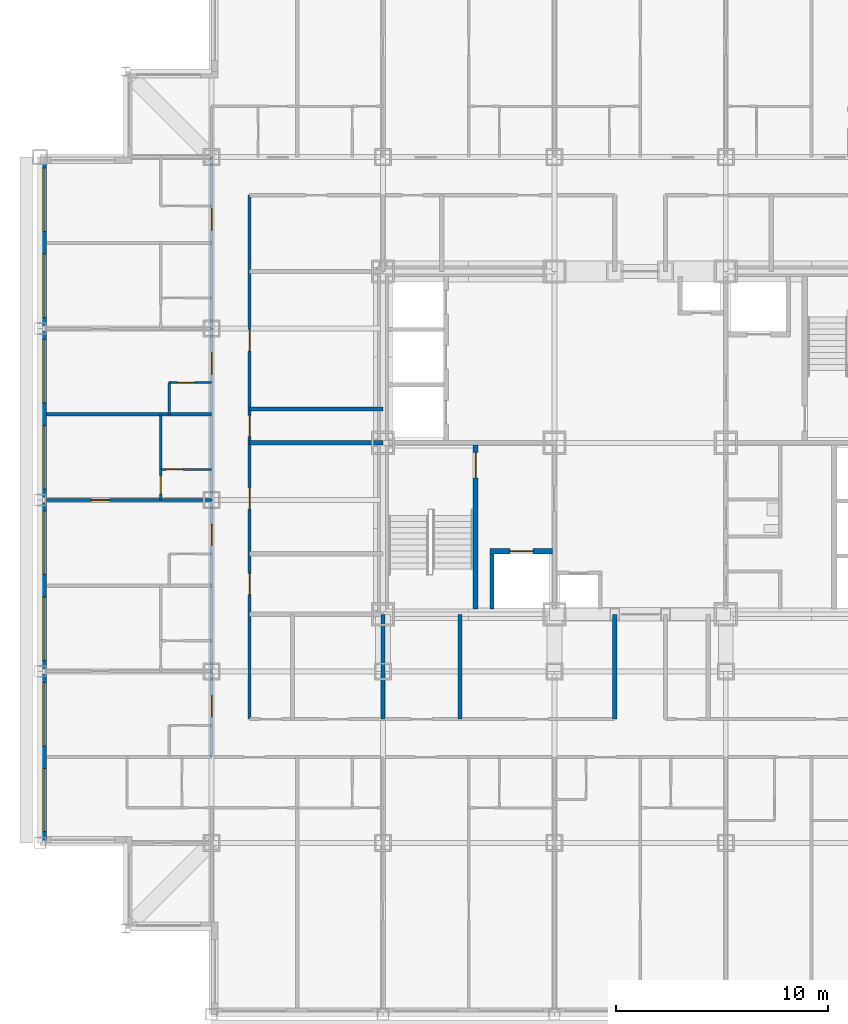
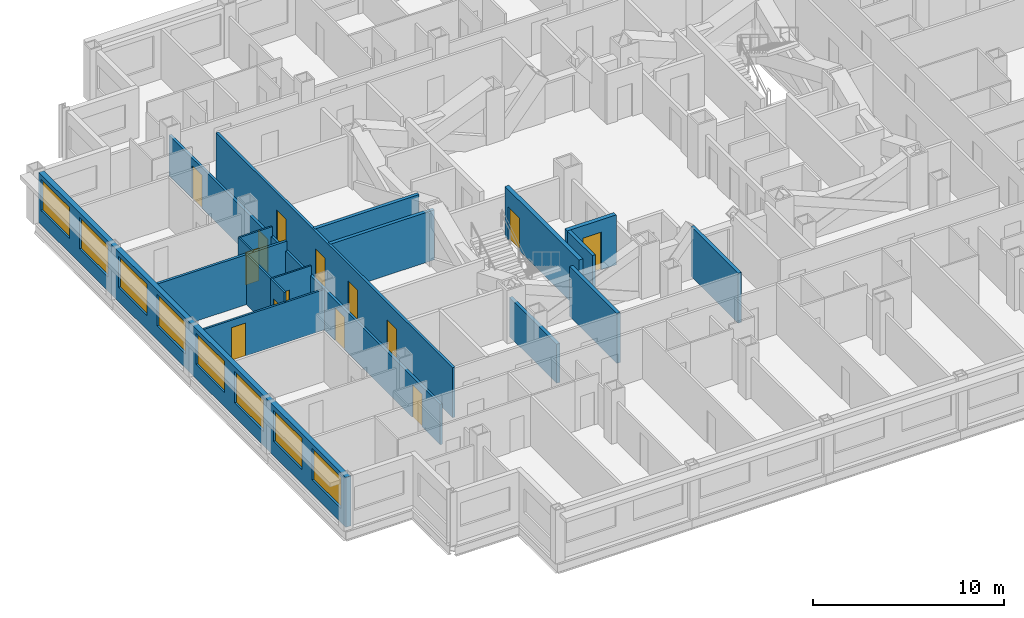
# One storey, part 6 of 15: 18 walls, 14 doors, 8 windows, 22 openings.
"""IFC4 building model written with IfcOpenShell, lengths in metres."""

from ifc_helpers import new_model, si_unit, direction, frame, frame_2d, origin, place, context, subcontext, project, spatial, rectangle, extrude, material, layer, layer_set, type_object, element, fill, save


model = new_model("IFC4")

# Units and contexts
model_context = context("Model", 3, precision=1e-05, world=origin(), true_north=direction((0.0, 1.0)))
body_context = subcontext(model_context, "Body", "Model", "MODEL_VIEW")
ifc_project = project(units=[si_unit("LENGTHUNIT", "METRE"), si_unit("AREAUNIT", "SQUARE_METRE"), si_unit("VOLUMEUNIT", "CUBIC_METRE"), si_unit("PLANEANGLEUNIT", "RADIAN"), si_unit("MASSUNIT", "GRAM", prefix="KILO")], contexts=[model_context])

# Site, building, storey
site_placement = place(None, origin())
site = spatial("IfcSite", under=ifc_project, at=site_placement, CompositionType="ELEMENT")
building_placement = place(site_placement, origin())
building = spatial("IfcBuilding", under=site, at=building_placement, Name="Kopane Lantern Tower", CompositionType="ELEMENT")
storey_placement = place(building_placement, frame((0.0, 0.0, 140.800048828125)))
storey = spatial("IfcBuildingStorey", under=building, at=storey_placement, Name="L36", CompositionType="ELEMENT", Elevation=140.800048828125)

# Wall, opening, door
ifc_material_1 = material(Name="Gypsum board on steel studs", Category="steel")
ifc_layer_1 = layer(ifc_material_1, 0.1201171875)
ifc_layer_set_1 = layer_set([ifc_layer_1], Name="APARTMENT INTERNAL WALL 120")
wall_type_1 = type_object("IfcWallType", Name="APARTMENT INTERNAL WALL 120", PredefinedType="PARTITIONING", material=ifc_layer_set_1)
wall_1_placement = place(storey_placement, frame((8.10009765625, 29.699951171875, 0.0), z_axis=(0.0, 0.0, 1.0), x_axis=(-1.0, 0.0, 0.0)))
wall_1 = element("IfcWall", 1, at=wall_1_placement, inside=storey, type_object=wall_type_1, Name="Apartment Internal Wall 120 L36", PredefinedType="PARTITIONING", context=body_context, shape_type="SweptSolid", body=[
    extrude(rectangle(XDim=7.800048828125, YDim=0.1201171875, at=frame_2d((3.89990234375, 0.0))), origin(), (0.0, 0.0, 1.0), 2.57763671875),
])
opening_1_placement = place(wall_1_placement, frame((4.824951171875, 0.0, 0.0)))
opening_1 = element("IfcOpeningElement", 2, at=opening_1_placement, cuts=wall_1, Name="Opening L36-050", PredefinedType="OPENING", context=body_context, shape_type="SweptSolid", body=[
    extrude(rectangle(XDim=0.85009765625, YDim=2.10009765625, at=frame_2d((0.425048828125, 1.050048828125))), frame((0.0, 0.070068359375, 0.0), z_axis=(0.0, -1.0, 0.0), x_axis=(1.0, 0.0, 0.0)), (0.0, 0.0, 1.0), 0.14013671875),
])
ifc_material_2 = material(Name="Timber door set", Category="wood")
door_type_1 = type_object("IfcDoorType", Name="DOOR D4 850x2100", OperationType="SINGLE_SWING_LEFT", PredefinedType="DOOR", material=ifc_material_2)
door_1_placement = place(opening_1_placement, origin())
door_1 = element("IfcDoor", 3, at=door_1_placement, inside=storey, type_object=door_type_1, Name="Door L36-050", OperationType="SINGLE_SWING_RIGHT", OverallHeight=2.10009765625, OverallWidth=0.85009765625, PredefinedType="DOOR", context=body_context, shape_type="SweptSolid", body=[
    extrude(rectangle(XDim=0.85009765625, YDim=2.10009765625, at=frame_2d((0.425048828125, 1.050048828125))), frame((0.0, 0.02490234375, 0.0), z_axis=(0.0, -1.0, 0.0), x_axis=(1.0, 0.0, 0.0)), (0.0, 0.0, 1.0), 0.050048828125),
])
fill(opening_1, door_1)

wall_2_placement = place(storey_placement, frame((5.699951171875, 29.699951171875, 0.0), z_axis=(0.0, 0.0, 1.0), x_axis=(0.0, 1.0, 0.0)))
wall_2 = element("IfcWall", 4, at=wall_2_placement, inside=storey, type_object=wall_type_1, Name="Apartment Internal Wall 120 L36", PredefinedType="PARTITIONING", context=body_context, shape_type="SweptSolid", body=[
    extrude(rectangle(XDim=1.4599609375, YDim=0.1201171875, at=frame_2d((0.72998046875, 0.0))), origin(), (0.0, 0.0, 1.0), 3.18994140625),
])
opening_2_placement = place(wall_2_placement, frame((0.27490234375, 0.0, 0.0)))
opening_2 = element("IfcOpeningElement", 5, at=opening_2_placement, cuts=wall_2, Name="Opening L36-095", PredefinedType="OPENING", context=body_context, shape_type="SweptSolid", body=[
    extrude(rectangle(XDim=0.85009765625, YDim=2.10009765625, at=frame_2d((0.425048828125, 1.050048828125))), frame((0.0, 0.070068359375, 0.0), z_axis=(0.0, -1.0, 0.0), x_axis=(1.0, 0.0, 0.0)), (0.0, 0.0, 1.0), 0.14013671875),
])
door_2_placement = place(opening_2_placement, origin())
door_2 = element("IfcDoor", 6, at=door_2_placement, inside=storey, type_object=door_type_1, Name="Door L36-095", OperationType="SINGLE_SWING_LEFT", OverallHeight=2.10009765625, OverallWidth=0.85009765625, PredefinedType="DOOR", context=body_context, shape_type="SweptSolid", body=[
    extrude(rectangle(XDim=0.85009765625, YDim=2.10009765625, at=frame_2d((0.425048828125, 1.050048828125))), frame((0.0, 0.02490234375, 0.0), z_axis=(0.0, -1.0, 0.0), x_axis=(1.0, 0.0, 0.0)), (0.0, 0.0, 1.0), 0.050048828125),
])
fill(opening_2, door_2)

# Wall
ifc_material_3 = material(Name="Moisture-resistant board on steel studs", Category="steel")
ifc_layer_2 = layer(ifc_material_3, 0.10009765625)
ifc_layer_set_2 = layer_set([ifc_layer_2], Name="BATHROOM WALL 100")
wall_type_2 = type_object("IfcWallType", Name="BATHROOM WALL 100", PredefinedType="PARTITIONING", material=ifc_layer_set_2)
wall_3_placement = place(storey_placement, frame((5.699951171875, 31.14990234375, 0.0), z_axis=(0.0, 0.0, 1.0), x_axis=(0.0, 1.0, 0.0)))
element("IfcWall", 7, at=wall_3_placement, inside=storey, type_object=wall_type_2, Name="Bathroom Wall 100 L36", PredefinedType="PARTITIONING", context=body_context, shape_type="SweptSolid", body=[
    extrude(rectangle(XDim=2.60009765625, YDim=0.10009765625, at=frame_2d((1.300048828125, 0.0))), origin(), (0.0, 0.0, 1.0), 3.18994140625),
])

# Wall, opening, door
wall_4_placement = place(storey_placement, frame((8.10009765625, 31.14990234375, 0.0), z_axis=(0.0, 0.0, 1.0), x_axis=(-1.0, 0.0, 0.0)))
wall_4 = element("IfcWall", 8, at=wall_4_placement, inside=storey, type_object=wall_type_2, Name="Bathroom Wall 100 L36", PredefinedType="PARTITIONING", context=body_context, shape_type="SweptSolid", body=[
    extrude(rectangle(XDim=2.400146484375, YDim=0.10009765625, at=frame_2d((1.2001953125, 0.0))), origin(), (0.0, 0.0, 1.0), 3.18994140625),
])
opening_3_placement = place(wall_4_placement, frame((1.35009765625, 0.0, 0.0)))
opening_3 = element("IfcOpeningElement", 9, at=opening_3_placement, cuts=wall_4, Name="Opening L36-049", PredefinedType="OPENING", context=body_context, shape_type="SweptSolid", body=[
    extrude(rectangle(XDim=0.800048828125, YDim=2.10009765625, at=frame_2d((0.39990234375, 1.050048828125))), frame((0.0, 0.06005859375, 0.0), z_axis=(0.0, -1.0, 0.0), x_axis=(1.0, 0.0, 0.0)), (0.0, 0.0, 1.0), 0.1201171875),
])
ifc_material_4 = material(Name="Timber door set", Category="wood")
door_type_2 = type_object("IfcDoorType", Name="DOOR D2 800x2100", OperationType="SINGLE_SWING_LEFT", PredefinedType="DOOR", material=ifc_material_4)
door_3_placement = place(opening_3_placement, origin())
door_3 = element("IfcDoor", 10, at=door_3_placement, inside=storey, type_object=door_type_2, Name="Door L36-049", OperationType="SINGLE_SWING_RIGHT", OverallHeight=2.10009765625, OverallWidth=0.800048828125, PredefinedType="DOOR", context=body_context, shape_type="SweptSolid", body=[
    extrude(rectangle(XDim=0.800048828125, YDim=2.10009765625, at=frame_2d((0.39990234375, 1.050048828125))), frame((0.0, 0.02490234375, 0.0), z_axis=(0.0, -1.0, 0.0), x_axis=(1.0, 0.0, 0.0)), (0.0, 0.0, 1.0), 0.050048828125),
])
fill(opening_3, door_3)

# Wall
wall_5_placement = place(storey_placement, frame((6.10009765625, 33.75, 0.0), z_axis=(0.0, 0.0, 1.0), x_axis=(0.0, 1.0, 0.0)))
element("IfcWall", 11, at=wall_5_placement, inside=storey, type_object=wall_type_2, Name="Bathroom Wall 100 L36", PredefinedType="PARTITIONING", context=body_context, shape_type="SweptSolid", body=[
    extrude(rectangle(XDim=1.5, YDim=0.10009765625, at=frame_2d((0.75, 0.0))), origin(), (0.0, 0.0, 1.0), 3.18994140625),
])

# Wall, opening, door
wall_6_placement = place(storey_placement, frame((8.10009765625, 35.25, 0.0), z_axis=(0.0, 0.0, 1.0), x_axis=(-1.0, 0.0, 0.0)))
wall_6 = element("IfcWall", 12, at=wall_6_placement, inside=storey, type_object=wall_type_2, Name="Bathroom Wall 100 L36", PredefinedType="PARTITIONING", context=body_context, shape_type="SweptSolid", body=[
    extrude(rectangle(XDim=2.0, YDim=0.10009765625, at=frame_2d((1.0, 0.0))), origin(), (0.0, 0.0, 1.0), 3.18994140625),
])
opening_4_placement = place(wall_6_placement, frame((0.800048828125, 0.0, 0.0)))
opening_4 = element("IfcOpeningElement", 13, at=opening_4_placement, cuts=wall_6, Name="Opening L36-051", PredefinedType="OPENING", context=body_context, shape_type="SweptSolid", body=[
    extrude(rectangle(XDim=0.800048828125, YDim=2.10009765625, at=frame_2d((0.39990234375, 1.050048828125))), frame((0.0, 0.06005859375, 0.0), z_axis=(0.0, -1.0, 0.0), x_axis=(1.0, 0.0, 0.0)), (0.0, 0.0, 1.0), 0.1201171875),
])
door_4_placement = place(opening_4_placement, origin())
door_4 = element("IfcDoor", 14, at=door_4_placement, inside=storey, type_object=door_type_2, Name="Door L36-051", OperationType="SINGLE_SWING_RIGHT", OverallHeight=2.10009765625, OverallWidth=0.800048828125, PredefinedType="DOOR", context=body_context, shape_type="SweptSolid", body=[
    extrude(rectangle(XDim=0.800048828125, YDim=2.10009765625, at=frame_2d((0.39990234375, 1.050048828125))), frame((0.0, 0.02490234375, 0.0), z_axis=(0.0, -1.0, 0.0), x_axis=(1.0, 0.0, 0.0)), (0.0, 0.0, 1.0), 0.050048828125),
])
fill(opening_4, door_4)

ifc_material_5 = material(Name="Gypsum shaft wall EI 120", Category="gypsum")
ifc_layer_3 = layer(ifc_material_5, 0.25)
ifc_layer_set_3 = layer_set([ifc_layer_3], Name="CORE SHAFT WALL 250 EI 120")
wall_type_3 = type_object("IfcWallType", Name="CORE SHAFT WALL 250 EI 120", PredefinedType="SOLIDWALL", material=ifc_layer_set_3)
wall_7_placement = place(storey_placement, frame((20.574951171875, 24.550048828125, 0.0), z_axis=(0.0, 0.0, 1.0), x_axis=(0.0, 1.0, 0.0)))
wall_7 = element("IfcWall", 15, at=wall_7_placement, inside=storey, type_object=wall_type_3, Name="Core shaft wall L36 XST1", PredefinedType="SOLIDWALL", context=body_context, shape_type="SweptSolid", body=[
    extrude(rectangle(XDim=7.75, YDim=0.25, at=frame_2d((3.875, 0.0))), origin(), (0.0, 0.0, 1.0), 3.18994140625),
])
opening_5_placement = place(wall_7_placement, frame((6.199951171875, 0.0, 0.0)))
opening_5 = element("IfcOpeningElement", 16, at=opening_5_placement, cuts=wall_7, Name="Opening 36.SD1", PredefinedType="OPENING", context=body_context, shape_type="SweptSolid", body=[
    extrude(rectangle(XDim=1.199951171875, YDim=2.10009765625, at=frame_2d((0.60009765625, 1.050048828125))), frame((0.0, 0.135009765625, 0.0), z_axis=(0.0, -1.0, 0.0), x_axis=(1.0, 0.0, 0.0)), (0.0, 0.0, 1.0), 0.27001953125),
])
ifc_material_6 = material(Name="Steel door set", Category="steel")
door_type_3 = type_object("IfcDoorType", Name="STAIR DOOR 1200x2100 FD60S", OperationType="SINGLE_SWING_LEFT", PredefinedType="DOOR", material=ifc_material_6)
door_5_placement = place(opening_5_placement, origin())
door_5 = element("IfcDoor", 17, at=door_5_placement, inside=storey, type_object=door_type_3, Name="Stair door ST1 L36", OperationType="SINGLE_SWING_LEFT", OverallHeight=2.10009765625, OverallWidth=1.199951171875, PredefinedType="DOOR", context=body_context, shape_type="SweptSolid", body=[
    extrude(rectangle(XDim=1.199951171875, YDim=2.10009765625, at=frame_2d((0.60009765625, 1.050048828125))), frame((0.0, 0.02490234375, 0.0), z_axis=(0.0, -1.0, 0.0), x_axis=(1.0, 0.0, 0.0)), (0.0, 0.0, 1.0), 0.050048828125),
])
fill(opening_5, door_5)

wall_8_placement = place(storey_placement, frame((21.25, 27.27490234375, 0.0), z_axis=(0.0, 0.0, 1.0), x_axis=(1.0, 0.0, 0.0)))
wall_8 = element("IfcWall", 18, at=wall_8_placement, inside=storey, type_object=wall_type_3, Name="Core shaft wall L36 YLF1", PredefinedType="SOLIDWALL", context=body_context, shape_type="SweptSolid", body=[
    extrude(rectangle(XDim=2.949951171875, YDim=0.25, at=frame_2d((1.47509765625, 0.0))), origin(), (0.0, 0.0, 1.0), 3.18994140625),
])
opening_6_placement = place(wall_8_placement, frame((0.949951171875, 0.0, 0.0)))
opening_6 = element("IfcOpeningElement", 19, at=opening_6_placement, cuts=wall_8, Name="Opening 36.LD-LF1", PredefinedType="OPENING", context=body_context, shape_type="SweptSolid", body=[
    extrude(rectangle(XDim=1.10009765625, YDim=2.39990234375, at=frame_2d((0.550048828125, 1.199951171875))), frame((0.0, 0.135009765625, 0.0), z_axis=(0.0, -1.0, 0.0), x_axis=(1.0, 0.0, 0.0)), (0.0, 0.0, 1.0), 0.27001953125),
])
ifc_material_7 = material(Name="Steel door set", Category="steel")
door_type_4 = type_object("IfcDoorType", Name="LIFT LANDING DOOR 1100x2400 FD60", OperationType="DOUBLE_DOOR_SLIDING", PredefinedType="DOOR", material=ifc_material_7)
door_6_placement = place(opening_6_placement, origin())
door_6 = element("IfcDoor", 20, at=door_6_placement, inside=storey, type_object=door_type_4, Name="Landing door LF1 L36", OperationType="DOUBLE_DOOR_SLIDING", OverallHeight=2.39990234375, OverallWidth=1.10009765625, PredefinedType="DOOR", context=body_context, shape_type="SweptSolid", body=[
    extrude(rectangle(XDim=1.10009765625, YDim=2.39990234375, at=frame_2d((0.550048828125, 1.199951171875))), frame((0.0, 0.02490234375, 0.0), z_axis=(0.0, -1.0, 0.0), x_axis=(1.0, 0.0, 0.0)), (0.0, 0.0, 1.0), 0.050048828125),
])
fill(opening_6, door_6)

# Wall, openings, doors
ifc_material_8 = material(Name="Gypsum board on steel studs", Category="steel")
ifc_layer_4 = layer(ifc_material_8, 0.14990234375)
ifc_layer_set_4 = layer_set([ifc_layer_4], Name="CORRIDOR WALL 150 EI 60")
wall_type_4 = type_object("IfcWallType", Name="CORRIDOR WALL 150 EI 60", PredefinedType="PARTITIONING", material=ifc_layer_set_4)
wall_9_placement = place(storey_placement, frame((8.10009765625, 17.550048828125, 0.0), z_axis=(0.0, 0.0, 1.0), x_axis=(0.0, 1.0, 0.0)))
wall_9 = element("IfcWall", 21, at=wall_9_placement, inside=storey, type_object=wall_type_4, Name="Corridor Wall 150 Ei 60 L36", PredefinedType="PARTITIONING", context=body_context, shape_type="SweptSolid", body=[
    extrude(rectangle(XDim=28.349853515625, YDim=0.14990234375, at=frame_2d((14.1748046875, 0.0))), origin(), (0.0, 0.0, 1.0), 2.57763671875),
])
opening_7_placement = place(wall_9_placement, frame((1.89990234375, 0.0, 0.0)))
opening_7 = element("IfcOpeningElement", 22, at=opening_7_placement, cuts=wall_9, Name="Opening L36-044", PredefinedType="OPENING", context=body_context, shape_type="SweptSolid", body=[
    extrude(rectangle(XDim=1.0, YDim=2.10009765625, at=frame_2d((0.5, 1.050048828125))), frame((0.0, 0.0849609375, 0.0), z_axis=(0.0, -1.0, 0.0), x_axis=(1.0, 0.0, 0.0)), (0.0, 0.0, 1.0), 0.169921875),
])
opening_8_placement = place(wall_9_placement, frame((10.0, 0.0, 0.0)))
opening_8 = element("IfcOpeningElement", 23, at=opening_8_placement, cuts=wall_9, Name="Opening L36-048", PredefinedType="OPENING", context=body_context, shape_type="SweptSolid", body=[
    extrude(rectangle(XDim=1.0, YDim=2.10009765625, at=frame_2d((0.5, 1.050048828125))), frame((0.0, 0.0849609375, 0.0), z_axis=(0.0, -1.0, 0.0), x_axis=(1.0, 0.0, 0.0)), (0.0, 0.0, 1.0), 0.169921875),
])
opening_9_placement = place(wall_9_placement, frame((18.10009765625, 0.0, 0.0)))
opening_9 = element("IfcOpeningElement", 24, at=opening_9_placement, cuts=wall_9, Name="Opening L36-052", PredefinedType="OPENING", context=body_context, shape_type="SweptSolid", body=[
    extrude(rectangle(XDim=1.0, YDim=2.10009765625, at=frame_2d((0.5, 1.050048828125))), frame((0.0, 0.0849609375, 0.0), z_axis=(0.0, -1.0, 0.0), x_axis=(1.0, 0.0, 0.0)), (0.0, 0.0, 1.0), 0.169921875),
])
opening_10_placement = place(wall_9_placement, frame((24.89990234375, 0.0, 0.0)))
opening_10 = element("IfcOpeningElement", 25, at=opening_10_placement, cuts=wall_9, Name="Opening L36-056", PredefinedType="OPENING", context=body_context, shape_type="SweptSolid", body=[
    extrude(rectangle(XDim=1.0, YDim=2.10009765625, at=frame_2d((0.5, 1.050048828125))), frame((0.0, 0.0849609375, 0.0), z_axis=(0.0, -1.0, 0.0), x_axis=(1.0, 0.0, 0.0)), (0.0, 0.0, 1.0), 0.169921875),
])
ifc_material_9 = material(Name="Steel door set", Category="steel")
door_type_5 = type_object("IfcDoorType", Name="DOOR D1 1000x2100 FD30S", OperationType="SINGLE_SWING_LEFT", PredefinedType="DOOR", material=ifc_material_9)
door_7_placement = place(opening_7_placement, origin())
door_7 = element("IfcDoor", 26, at=door_7_placement, inside=storey, type_object=door_type_5, Name="Door L36-044", OperationType="SINGLE_SWING_LEFT", OverallHeight=2.10009765625, OverallWidth=1.0, PredefinedType="DOOR", context=body_context, shape_type="SweptSolid", body=[
    extrude(rectangle(XDim=1.0, YDim=2.10009765625, at=frame_2d((0.5, 1.050048828125))), frame((0.0, 0.02490234375, 0.0), z_axis=(0.0, -1.0, 0.0), x_axis=(1.0, 0.0, 0.0)), (0.0, 0.0, 1.0), 0.050048828125),
])
fill(opening_7, door_7)
door_8_placement = place(opening_8_placement, origin())
door_8 = element("IfcDoor", 27, at=door_8_placement, inside=storey, type_object=door_type_5, Name="Door L36-048", OperationType="SINGLE_SWING_LEFT", OverallHeight=2.10009765625, OverallWidth=1.0, PredefinedType="DOOR", context=body_context, shape_type="SweptSolid", body=[
    extrude(rectangle(XDim=1.0, YDim=2.10009765625, at=frame_2d((0.5, 1.050048828125))), frame((0.0, 0.02490234375, 0.0), z_axis=(0.0, -1.0, 0.0), x_axis=(1.0, 0.0, 0.0)), (0.0, 0.0, 1.0), 0.050048828125),
])
fill(opening_8, door_8)
door_9_placement = place(opening_9_placement, origin())
door_9 = element("IfcDoor", 28, at=door_9_placement, inside=storey, type_object=door_type_5, Name="Door L36-052", OperationType="SINGLE_SWING_LEFT", OverallHeight=2.10009765625, OverallWidth=1.0, PredefinedType="DOOR", context=body_context, shape_type="SweptSolid", body=[
    extrude(rectangle(XDim=1.0, YDim=2.10009765625, at=frame_2d((0.5, 1.050048828125))), frame((0.0, 0.02490234375, 0.0), z_axis=(0.0, -1.0, 0.0), x_axis=(1.0, 0.0, 0.0)), (0.0, 0.0, 1.0), 0.050048828125),
])
fill(opening_9, door_9)
door_10_placement = place(opening_10_placement, origin())
door_10 = element("IfcDoor", 29, at=door_10_placement, inside=storey, type_object=door_type_5, Name="Door L36-056", OperationType="SINGLE_SWING_RIGHT", OverallHeight=2.10009765625, OverallWidth=1.0, PredefinedType="DOOR", context=body_context, shape_type="SweptSolid", body=[
    extrude(rectangle(XDim=1.0, YDim=2.10009765625, at=frame_2d((0.5, 1.050048828125))), frame((0.0, 0.02490234375, 0.0), z_axis=(0.0, -1.0, 0.0), x_axis=(1.0, 0.0, 0.0)), (0.0, 0.0, 1.0), 0.050048828125),
])
fill(opening_10, door_10)

wall_10_placement = place(storey_placement, frame((9.89990234375, 44.10009765625, 0.0), z_axis=(0.0, 0.0, 1.0), x_axis=(0.0, -1.0, 0.0)))
wall_10 = element("IfcWall", 30, at=wall_10_placement, inside=storey, type_object=wall_type_4, Name="Corridor Wall 150 Ei 60 L36", PredefinedType="PARTITIONING", context=body_context, shape_type="SweptSolid", body=[
    extrude(rectangle(XDim=24.75, YDim=0.14990234375, at=frame_2d((12.375, 0.0))), origin(), (0.0, 0.0, 1.0), 3.18994140625),
])
opening_11_placement = place(wall_10_placement, frame((17.871337890625, 0.0, 0.0)))
opening_11 = element("IfcOpeningElement", 31, at=opening_11_placement, cuts=wall_10, Name="Opening L36-001", PredefinedType="OPENING", context=body_context, shape_type="SweptSolid", body=[
    extrude(rectangle(XDim=1.0, YDim=2.10009765625, at=frame_2d((0.5, 1.050048828125))), frame((0.0, 0.0849609375, 0.0), z_axis=(0.0, -1.0, 0.0), x_axis=(1.0, 0.0, 0.0)), (0.0, 0.0, 1.0), 0.169921875),
])
opening_12_placement = place(wall_10_placement, frame((13.8212890625, 0.0, 0.0)))
opening_12 = element("IfcOpeningElement", 32, at=opening_12_placement, cuts=wall_10, Name="Opening L36-002", PredefinedType="OPENING", context=body_context, shape_type="SweptSolid", body=[
    extrude(rectangle(XDim=1.0, YDim=2.10009765625, at=frame_2d((0.5, 1.050048828125))), frame((0.0, 0.0849609375, 0.0), z_axis=(0.0, -1.0, 0.0), x_axis=(1.0, 0.0, 0.0)), (0.0, 0.0, 1.0), 0.169921875),
])
opening_13_placement = place(wall_10_placement, frame((10.39990234375, 0.0, 0.0)))
opening_13 = element("IfcOpeningElement", 33, at=opening_13_placement, cuts=wall_10, Name="Opening L36-003", PredefinedType="OPENING", context=body_context, shape_type="SweptSolid", body=[
    extrude(rectangle(XDim=1.0, YDim=2.10009765625, at=frame_2d((0.5, 1.050048828125))), frame((0.0, 0.0849609375, 0.0), z_axis=(0.0, -1.0, 0.0), x_axis=(1.0, 0.0, 0.0)), (0.0, 0.0, 1.0), 0.169921875),
])
opening_14_placement = place(wall_10_placement, frame((6.35009765625, 0.0, 0.0)))
opening_14 = element("IfcOpeningElement", 34, at=opening_14_placement, cuts=wall_10, Name="Opening L36-004", PredefinedType="OPENING", context=body_context, shape_type="SweptSolid", body=[
    extrude(rectangle(XDim=1.0, YDim=2.10009765625, at=frame_2d((0.5, 1.050048828125))), frame((0.0, 0.0849609375, 0.0), z_axis=(0.0, -1.0, 0.0), x_axis=(1.0, 0.0, 0.0)), (0.0, 0.0, 1.0), 0.169921875),
])
ifc_material_10 = material(Name="Steel door set", Category="steel")
door_type_6 = type_object("IfcDoorType", Name="DOOR D5 1000x2100 FD60", OperationType="SINGLE_SWING_LEFT", PredefinedType="DOOR", material=ifc_material_10)
door_11_placement = place(opening_11_placement, origin())
door_11 = element("IfcDoor", 35, at=door_11_placement, inside=storey, type_object=door_type_6, Name="Door L36-001", OperationType="SINGLE_SWING_RIGHT", OverallHeight=2.10009765625, OverallWidth=1.0, PredefinedType="DOOR", context=body_context, shape_type="SweptSolid", body=[
    extrude(rectangle(XDim=1.0, YDim=2.10009765625, at=frame_2d((0.5, 1.050048828125))), frame((0.0, 0.02490234375, 0.0), z_axis=(0.0, -1.0, 0.0), x_axis=(1.0, 0.0, 0.0)), (0.0, 0.0, 1.0), 0.050048828125),
])
fill(opening_11, door_11)
door_12_placement = place(opening_12_placement, origin())
door_12 = element("IfcDoor", 36, at=door_12_placement, inside=storey, type_object=door_type_6, Name="Door L36-002", OperationType="SINGLE_SWING_LEFT", OverallHeight=2.10009765625, OverallWidth=1.0, PredefinedType="DOOR", context=body_context, shape_type="SweptSolid", body=[
    extrude(rectangle(XDim=1.0, YDim=2.10009765625, at=frame_2d((0.5, 1.050048828125))), frame((0.0, 0.02490234375, 0.0), z_axis=(0.0, -1.0, 0.0), x_axis=(1.0, 0.0, 0.0)), (0.0, 0.0, 1.0), 0.050048828125),
])
fill(opening_12, door_12)
door_13_placement = place(opening_13_placement, origin())
door_13 = element("IfcDoor", 37, at=door_13_placement, inside=storey, type_object=door_type_6, Name="Door L36-003", OperationType="SINGLE_SWING_RIGHT", OverallHeight=2.10009765625, OverallWidth=1.0, PredefinedType="DOOR", context=body_context, shape_type="SweptSolid", body=[
    extrude(rectangle(XDim=1.0, YDim=2.10009765625, at=frame_2d((0.5, 1.050048828125))), frame((0.0, 0.02490234375, 0.0), z_axis=(0.0, -1.0, 0.0), x_axis=(1.0, 0.0, 0.0)), (0.0, 0.0, 1.0), 0.050048828125),
])
fill(opening_13, door_13)
door_14_placement = place(opening_14_placement, origin())
door_14 = element("IfcDoor", 38, at=door_14_placement, inside=storey, type_object=door_type_6, Name="Door L36-004", OperationType="SINGLE_SWING_LEFT", OverallHeight=2.10009765625, OverallWidth=1.0, PredefinedType="DOOR", context=body_context, shape_type="SweptSolid", body=[
    extrude(rectangle(XDim=1.0, YDim=2.10009765625, at=frame_2d((0.5, 1.050048828125))), frame((0.0, 0.02490234375, 0.0), z_axis=(0.0, -1.0, 0.0), x_axis=(1.0, 0.0, 0.0)), (0.0, 0.0, 1.0), 0.050048828125),
])
fill(opening_14, door_14)

# Wall
ifc_material_11 = material(Name="Gypsum board on steel studs", Category="steel")
ifc_layer_5 = layer(ifc_material_11, 0.14990234375)
ifc_layer_set_5 = layer_set([ifc_layer_5], Name="DEMISING WALL 150 EI 60")
wall_type_5 = type_object("IfcWallType", Name="DEMISING WALL 150 EI 60", PredefinedType="PARTITIONING", material=ifc_layer_set_5)
wall_11_placement = place(storey_placement, frame((8.10009765625, 33.75, 0.0), z_axis=(0.0, 0.0, 1.0), x_axis=(-1.0, 0.0, 0.0)))
element("IfcWall", 39, at=wall_11_placement, inside=storey, type_object=wall_type_5, Name="Demising Wall 150 Ei 60 L36", PredefinedType="PARTITIONING", context=body_context, shape_type="SweptSolid", body=[
    extrude(rectangle(XDim=7.800048828125, YDim=0.14990234375, at=frame_2d((3.89990234375, 0.0))), origin(), (0.0, 0.0, 1.0), 3.18994140625),
])

# Wall, openings, windows
ifc_material_12 = material(Name="Terracotta rainscreen on light steel framing", Category="masonry")
ifc_layer_6 = layer(ifc_material_12, 0.300048828125)
ifc_layer_set_6 = layer_set([ifc_layer_6], Name="EXTERNAL WALL EW1 300 TERRACOTTA")
wall_type_6 = type_object("IfcWallType", Name="EXTERNAL WALL EW1 300 TERRACOTTA", PredefinedType="SOLIDWALL", material=ifc_layer_set_6)
wall_12_placement = place(storey_placement, frame((0.14990234375, 45.60009765625, 0.0), z_axis=(0.0, 0.0, 1.0), x_axis=(0.0, -1.0, 0.0)))
wall_12 = element("IfcWall", 40, at=wall_12_placement, inside=storey, type_object=wall_type_6, Name="External wall W L36", PredefinedType="SOLIDWALL", context=body_context, shape_type="SweptSolid", body=[
    extrude(rectangle(XDim=32.10009765625, YDim=0.300048828125, at=frame_2d((16.050048828125, 0.0))), origin(), (0.0, 0.0, 1.0), 3.18994140625),
])
opening_15_placement = place(wall_12_placement, frame((0.22509765625, 0.0, 0.89990234375)))
opening_15 = element("IfcOpeningElement", 41, at=opening_15_placement, cuts=wall_12, Name="Opening WR300200", PredefinedType="OPENING", context=body_context, shape_type="SweptSolid", body=[
    extrude(rectangle(XDim=3.0, YDim=2.0, at=frame_2d((1.5, 1.0))), frame((0.0, 0.159912109375, 0.0), z_axis=(0.0, -1.0, 0.0), x_axis=(1.0, 0.0, 0.0)), (0.0, 0.0, 1.0), 0.320068359375),
])
opening_16_placement = place(wall_12_placement, frame((4.27490234375, 0.0, 0.89990234375)))
opening_16 = element("IfcOpeningElement", 42, at=opening_16_placement, cuts=wall_12, Name="Opening WR300200", PredefinedType="OPENING", context=body_context, shape_type="SweptSolid", body=[
    extrude(rectangle(XDim=3.0, YDim=2.0, at=frame_2d((1.5, 1.0))), frame((0.0, 0.159912109375, 0.0), z_axis=(0.0, -1.0, 0.0), x_axis=(1.0, 0.0, 0.0)), (0.0, 0.0, 1.0), 0.320068359375),
])
opening_17_placement = place(wall_12_placement, frame((8.324951171875, 0.0, 0.89990234375)))
opening_17 = element("IfcOpeningElement", 43, at=opening_17_placement, cuts=wall_12, Name="Opening WR300200", PredefinedType="OPENING", context=body_context, shape_type="SweptSolid", body=[
    extrude(rectangle(XDim=3.0, YDim=2.0, at=frame_2d((1.5, 1.0))), frame((0.0, 0.159912109375, 0.0), z_axis=(0.0, -1.0, 0.0), x_axis=(1.0, 0.0, 0.0)), (0.0, 0.0, 1.0), 0.320068359375),
])
opening_18_placement = place(wall_12_placement, frame((12.375, 0.0, 0.89990234375)))
opening_18 = element("IfcOpeningElement", 44, at=opening_18_placement, cuts=wall_12, Name="Opening WR300200", PredefinedType="OPENING", context=body_context, shape_type="SweptSolid", body=[
    extrude(rectangle(XDim=3.0, YDim=2.0, at=frame_2d((1.5, 1.0))), frame((0.0, 0.159912109375, 0.0), z_axis=(0.0, -1.0, 0.0), x_axis=(1.0, 0.0, 0.0)), (0.0, 0.0, 1.0), 0.320068359375),
])
opening_19_placement = place(wall_12_placement, frame((16.425048828125, 0.0, 0.89990234375)))
opening_19 = element("IfcOpeningElement", 45, at=opening_19_placement, cuts=wall_12, Name="Opening WR300200", PredefinedType="OPENING", context=body_context, shape_type="SweptSolid", body=[
    extrude(rectangle(XDim=3.0, YDim=2.0, at=frame_2d((1.5, 1.0))), frame((0.0, 0.159912109375, 0.0), z_axis=(0.0, -1.0, 0.0), x_axis=(1.0, 0.0, 0.0)), (0.0, 0.0, 1.0), 0.320068359375),
])
opening_20_placement = place(wall_12_placement, frame((20.47509765625, 0.0, 0.89990234375)))
opening_20 = element("IfcOpeningElement", 46, at=opening_20_placement, cuts=wall_12, Name="Opening WR300200", PredefinedType="OPENING", context=body_context, shape_type="SweptSolid", body=[
    extrude(rectangle(XDim=3.0, YDim=2.0, at=frame_2d((1.5, 1.0))), frame((0.0, 0.159912109375, 0.0), z_axis=(0.0, -1.0, 0.0), x_axis=(1.0, 0.0, 0.0)), (0.0, 0.0, 1.0), 0.320068359375),
])
opening_21_placement = place(wall_12_placement, frame((24.52490234375, 0.0, 0.89990234375)))
opening_21 = element("IfcOpeningElement", 47, at=opening_21_placement, cuts=wall_12, Name="Opening WR300200", PredefinedType="OPENING", context=body_context, shape_type="SweptSolid", body=[
    extrude(rectangle(XDim=3.0, YDim=2.0, at=frame_2d((1.5, 1.0))), frame((0.0, 0.159912109375, 0.0), z_axis=(0.0, -1.0, 0.0), x_axis=(1.0, 0.0, 0.0)), (0.0, 0.0, 1.0), 0.320068359375),
])
opening_22_placement = place(wall_12_placement, frame((28.574951171875, 0.0, 0.89990234375)))
opening_22 = element("IfcOpeningElement", 48, at=opening_22_placement, cuts=wall_12, Name="Opening WR300200", PredefinedType="OPENING", context=body_context, shape_type="SweptSolid", body=[
    extrude(rectangle(XDim=3.0, YDim=2.0, at=frame_2d((1.5, 1.0))), frame((0.0, 0.159912109375, 0.0), z_axis=(0.0, -1.0, 0.0), x_axis=(1.0, 0.0, 0.0)), (0.0, 0.0, 1.0), 0.320068359375),
])
ifc_material_13 = material(Name="Aluminium and clear glass", Category="aluminium")
window_type = type_object("IfcWindowType", Name="RIBBON WINDOW WR300200 3000x2000", PartitioningType="SINGLE_PANEL", PredefinedType="WINDOW", material=ifc_material_13)
window_1_placement = place(opening_15_placement, origin())
window_1 = element("IfcWindow", 49, at=window_1_placement, inside=storey, type_object=window_type, Name="Window W L36", OverallHeight=2.0, OverallWidth=3.0, PartitioningType="SINGLE_PANEL", PredefinedType="WINDOW", context=body_context, shape_type="SweptSolid", body=[
    extrude(rectangle(XDim=3.0, YDim=2.0, at=frame_2d((1.5, 1.0))), frame((0.0, 0.030029296875, 0.0), z_axis=(0.0, -1.0, 0.0), x_axis=(1.0, 0.0, 0.0)), (0.0, 0.0, 1.0), 0.06005859375),
])
fill(opening_15, window_1)
window_2_placement = place(opening_16_placement, origin())
window_2 = element("IfcWindow", 50, at=window_2_placement, inside=storey, type_object=window_type, Name="Window W L36", OverallHeight=2.0, OverallWidth=3.0, PartitioningType="SINGLE_PANEL", PredefinedType="WINDOW", context=body_context, shape_type="SweptSolid", body=[
    extrude(rectangle(XDim=3.0, YDim=2.0, at=frame_2d((1.5, 1.0))), frame((0.0, 0.030029296875, 0.0), z_axis=(0.0, -1.0, 0.0), x_axis=(1.0, 0.0, 0.0)), (0.0, 0.0, 1.0), 0.06005859375),
])
fill(opening_16, window_2)
window_3_placement = place(opening_17_placement, origin())
window_3 = element("IfcWindow", 51, at=window_3_placement, inside=storey, type_object=window_type, Name="Window W L36", OverallHeight=2.0, OverallWidth=3.0, PartitioningType="SINGLE_PANEL", PredefinedType="WINDOW", context=body_context, shape_type="SweptSolid", body=[
    extrude(rectangle(XDim=3.0, YDim=2.0, at=frame_2d((1.5, 1.0))), frame((0.0, 0.030029296875, 0.0), z_axis=(0.0, -1.0, 0.0), x_axis=(1.0, 0.0, 0.0)), (0.0, 0.0, 1.0), 0.06005859375),
])
fill(opening_17, window_3)
window_4_placement = place(opening_18_placement, origin())
window_4 = element("IfcWindow", 52, at=window_4_placement, inside=storey, type_object=window_type, Name="Window W L36", OverallHeight=2.0, OverallWidth=3.0, PartitioningType="SINGLE_PANEL", PredefinedType="WINDOW", context=body_context, shape_type="SweptSolid", body=[
    extrude(rectangle(XDim=3.0, YDim=2.0, at=frame_2d((1.5, 1.0))), frame((0.0, 0.030029296875, 0.0), z_axis=(0.0, -1.0, 0.0), x_axis=(1.0, 0.0, 0.0)), (0.0, 0.0, 1.0), 0.06005859375),
])
fill(opening_18, window_4)
window_5_placement = place(opening_19_placement, origin())
window_5 = element("IfcWindow", 53, at=window_5_placement, inside=storey, type_object=window_type, Name="Window W L36", OverallHeight=2.0, OverallWidth=3.0, PartitioningType="SINGLE_PANEL", PredefinedType="WINDOW", context=body_context, shape_type="SweptSolid", body=[
    extrude(rectangle(XDim=3.0, YDim=2.0, at=frame_2d((1.5, 1.0))), frame((0.0, 0.030029296875, 0.0), z_axis=(0.0, -1.0, 0.0), x_axis=(1.0, 0.0, 0.0)), (0.0, 0.0, 1.0), 0.06005859375),
])
fill(opening_19, window_5)
window_6_placement = place(opening_20_placement, origin())
window_6 = element("IfcWindow", 54, at=window_6_placement, inside=storey, type_object=window_type, Name="Window W L36", OverallHeight=2.0, OverallWidth=3.0, PartitioningType="SINGLE_PANEL", PredefinedType="WINDOW", context=body_context, shape_type="SweptSolid", body=[
    extrude(rectangle(XDim=3.0, YDim=2.0, at=frame_2d((1.5, 1.0))), frame((0.0, 0.030029296875, 0.0), z_axis=(0.0, -1.0, 0.0), x_axis=(1.0, 0.0, 0.0)), (0.0, 0.0, 1.0), 0.06005859375),
])
fill(opening_20, window_6)
window_7_placement = place(opening_21_placement, origin())
window_7 = element("IfcWindow", 55, at=window_7_placement, inside=storey, type_object=window_type, Name="Window W L36", OverallHeight=2.0, OverallWidth=3.0, PartitioningType="SINGLE_PANEL", PredefinedType="WINDOW", context=body_context, shape_type="SweptSolid", body=[
    extrude(rectangle(XDim=3.0, YDim=2.0, at=frame_2d((1.5, 1.0))), frame((0.0, 0.030029296875, 0.0), z_axis=(0.0, -1.0, 0.0), x_axis=(1.0, 0.0, 0.0)), (0.0, 0.0, 1.0), 0.06005859375),
])
fill(opening_21, window_7)
window_8_placement = place(opening_22_placement, origin())
window_8 = element("IfcWindow", 56, at=window_8_placement, inside=storey, type_object=window_type, Name="Window W L36", OverallHeight=2.0, OverallWidth=3.0, PartitioningType="SINGLE_PANEL", PredefinedType="WINDOW", context=body_context, shape_type="SweptSolid", body=[
    extrude(rectangle(XDim=3.0, YDim=2.0, at=frame_2d((1.5, 1.0))), frame((0.0, 0.030029296875, 0.0), z_axis=(0.0, -1.0, 0.0), x_axis=(1.0, 0.0, 0.0)), (0.0, 0.0, 1.0), 0.06005859375),
])
fill(opening_22, window_8)

# Walls
ifc_material_14 = material(Name="Concrete masonry", Category="masonry")
ifc_layer_7 = layer(ifc_material_14, 0.199951171875)
ifc_layer_set_7 = layer_set([ifc_layer_7], Name="PLANT ROOM WALL 200 EI 120")
wall_type_7 = type_object("IfcWallType", Name="PLANT ROOM WALL 200 EI 120", PredefinedType="SOLIDWALL", material=ifc_layer_set_7)
for number, where, z_axis, x_axis, name in (
    (57, (9.89990234375, 32.39990234375, 0.0), (0.0, 0.0, 1.0), (1.0, 0.0, 0.0), "Plant Room Wall 200 Ei 120 L36"),
    (58, (9.89990234375, 34.0, 0.0), (0.0, 0.0, 1.0), (1.0, 0.0, 0.0), "Plant Room Wall 200 Ei 120 L36"),
):
    element("IfcWall", number, at=place(storey_placement, frame(where, z_axis=z_axis, x_axis=x_axis)), inside=storey, type_object=wall_type_7, Name=name, PredefinedType="SOLIDWALL", context=body_context, shape_type="SweptSolid", body=[
        extrude(rectangle(XDim=6.300048828125, YDim=0.199951171875, at=frame_2d((3.14990234375, 0.0))), origin(), (0.0, 0.0, 1.0), 3.18994140625),
    ])
wall_13_placement = place(storey_placement, frame((16.199951171875, 19.35009765625, 0.0), z_axis=(0.0, 0.0, 1.0), x_axis=(0.0, 1.0, 0.0)))
element("IfcWall", 59, at=wall_13_placement, inside=storey, type_object=wall_type_7, Name="Plant Room Wall 200 Ei 120 L36", PredefinedType="SOLIDWALL", context=body_context, shape_type="SweptSolid", body=[
    extrude(rectangle(XDim=4.949951171875, YDim=0.199951171875, at=frame_2d((2.47509765625, 0.0))), origin(), (0.0, 0.0, 1.0), 2.489990234375),
])
for number, where, z_axis, x_axis, name in (
    (60, (19.83642578125, 19.35009765625, 0.0), (0.0, 0.0, 1.0), (0.0, 1.0, 0.0), "Plant Room Wall 200 Ei 120 L36"),
    (61, (27.14990234375, 19.35009765625, 0.0), (0.0, 0.0, 1.0), (0.0, 1.0, 0.0), "Plant Room Wall 200 Ei 120 L36"),
):
    element("IfcWall", number, at=place(storey_placement, frame(where, z_axis=z_axis, x_axis=x_axis)), inside=storey, type_object=wall_type_7, Name=name, PredefinedType="SOLIDWALL", context=body_context, shape_type="SweptSolid", body=[
        extrude(rectangle(XDim=4.949951171875, YDim=0.199951171875, at=frame_2d((2.47509765625, 0.0))), origin(), (0.0, 0.0, 1.0), 3.18994140625),
    ])
ifc_material_15 = material(Name="Gypsum shaft wall EI 120", Category="gypsum")
ifc_layer_8 = layer(ifc_material_15, 0.199951171875)
ifc_layer_set_8 = layer_set([ifc_layer_8], Name="SHAFT WALL 200 EI 120")
wall_type_8 = type_object("IfcWallType", Name="SHAFT WALL 200 EI 120", PredefinedType="SOLIDWALL", material=ifc_layer_set_8)
wall_14_placement = place(storey_placement, frame((21.35009765625, 24.550048828125, 0.0), z_axis=(0.0, 0.0, 1.0), x_axis=(0.0, 1.0, 0.0)))
element("IfcWall", 62, at=wall_14_placement, inside=storey, type_object=wall_type_8, Name="Core shaft wall L36 XLF1", PredefinedType="SOLIDWALL", context=body_context, shape_type="SweptSolid", body=[
    extrude(rectangle(XDim=2.599853515625, YDim=0.199951171875, at=frame_2d((1.2998046875, 0.0))), origin(), (0.0, 0.0, 1.0), 3.18994140625),
])

save(model, "model.ifc")
